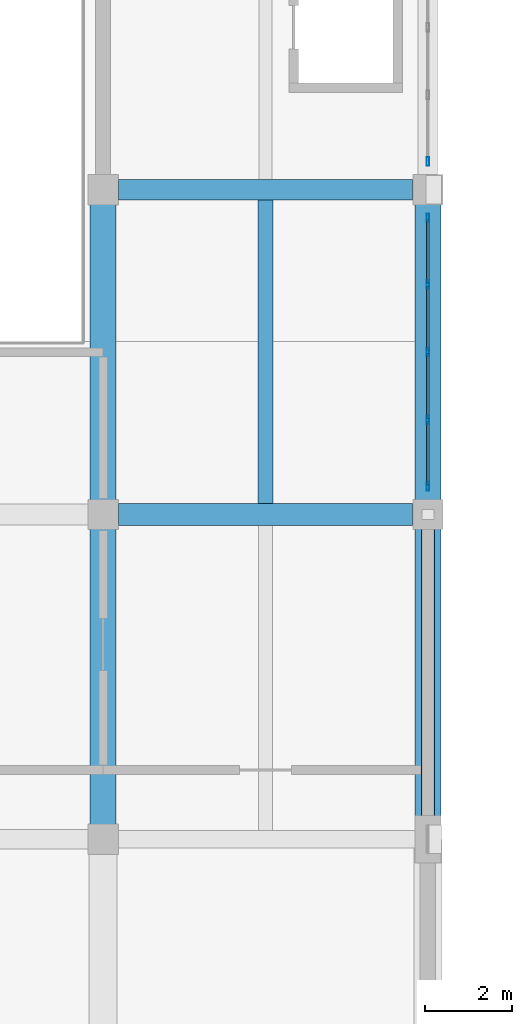
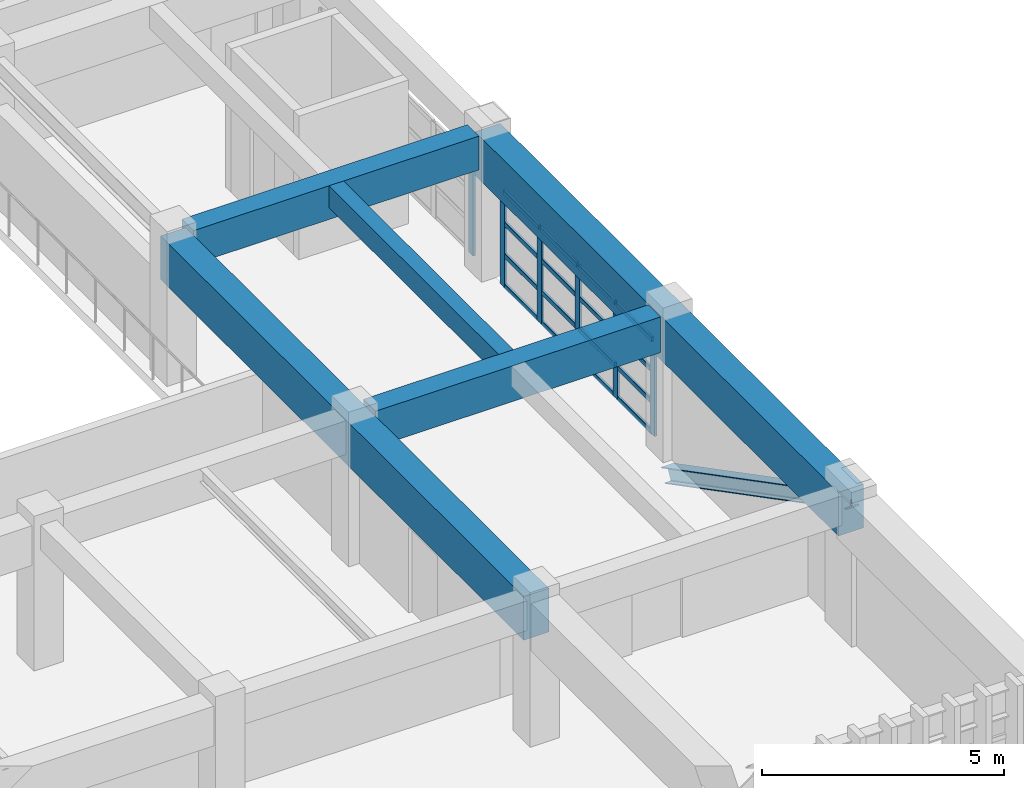
# One storey, part 32 of 82: 23 members, 5 beams, 2 elements without a shape of their own.
"""IFC4 building model written with IfcOpenShell, lengths in metres."""

from ifc_helpers import new_model, si_unit, direction, frame, origin, origin_2d, place, context, subcontext, project, spatial, rectangle, hollow_rectangle, i_section, extrude, material, material_profile, profile_set, type_object, element, aggregate, save


model = new_model("IFC4")

# Units and contexts
model_context = context("Model", 3, precision=1e-05, world=origin(), true_north=direction((0.0, 1.0)))
body_context = subcontext(model_context, "Body", "Model", "MODEL_VIEW")
ifc_project = project(units=[si_unit("LENGTHUNIT", "METRE"), si_unit("AREAUNIT", "SQUARE_METRE"), si_unit("VOLUMEUNIT", "CUBIC_METRE"), si_unit("PLANEANGLEUNIT", "RADIAN"), si_unit("MASSUNIT", "GRAM", prefix="KILO")], contexts=[model_context])

# Site, building, storey
site_placement = place(None, origin())
site = spatial("IfcSite", under=ifc_project, at=site_placement, CompositionType="ELEMENT")
building_placement = place(site_placement, origin())
building = spatial("IfcBuilding", under=site, at=building_placement, Name="Qasida Concert Hall", CompositionType="ELEMENT")
storey_placement = place(building_placement, frame((0.0, 0.0, 17.10009765625)))
storey = spatial("IfcBuildingStorey", under=building, at=storey_placement, Name="L04", CompositionType="ELEMENT", Elevation=17.10009765625)

# Beams
ifc_material_1 = material(Name="Concrete C40/50", Category="concrete")
ifc_material_profile_1 = material_profile(ifc_material_1, rectangle(XDim=0.5, YDim=0.89990234375, at=origin_2d()), Name="RC 500x900")
ifc_profile_set_1 = profile_set([ifc_material_profile_1], Name="Concrete C40/50")
beam_type_1 = type_object("IfcBeamType", Name="BM-G1", PredefinedType="USERDEFINED", material=ifc_profile_set_1)
beam_1_placement = place(storey_placement, frame((97.85009765625, 30.0, 3.169921875), z_axis=(1.0, 0.0, 0.0), x_axis=(0.0, 1.0, 0.0)))
element("IfcBeam", 1, at=beam_1_placement, inside=storey, type_object=beam_type_1, Name="Primary girder 1814", ObjectType="GIRDER", PredefinedType="USERDEFINED", context=body_context, shape_type="SweptSolid", body=[
    extrude(rectangle(XDim=0.5, YDim=0.89990234375, at=origin_2d()), origin(), (0.0, 0.0, 1.0), 6.7998046875),
])
ifc_material_2 = material(Name="Concrete C50/60", Category="concrete")
ifc_material_profile_2 = material_profile(ifc_material_2, rectangle(XDim=0.60009765625, YDim=1.10009765625, at=origin_2d()), Name="RC 600x1100")
ifc_profile_set_2 = profile_set([ifc_material_profile_2], Name="Concrete C50/60")
beam_type_2 = type_object("IfcBeamType", Name="BM-G4", PredefinedType="USERDEFINED", material=ifc_profile_set_2)
for number, where, z_axis, x_axis, name in (
    (2, (97.5, 22.5, 3.02001953125), (0.0, 1.0, 0.0), (-1.0, 0.0, 0.0), "Cantilever backspan girder CGB-024"),
    (3, (105.0, 22.5, 3.02001953125), (0.0, 1.0, 0.0), (-1.0, 0.0, 0.0), "Cantilever backspan girder CGB-025"),
):
    element("IfcBeam", number, at=place(storey_placement, frame(where, z_axis=z_axis, x_axis=x_axis)), inside=storey, type_object=beam_type_2, Name=name, ObjectType="GIRDER", PredefinedType="USERDEFINED", context=body_context, shape_type="SweptSolid", body=[
        extrude(rectangle(XDim=0.60009765625, YDim=1.10009765625, at=origin_2d()), origin(), (0.0, 0.0, 1.0), 15.0),
    ])
ifc_material_profile_3 = material_profile(ifc_material_1, rectangle(XDim=0.47998046875, YDim=0.85009765625, at=origin_2d()), Name="RC 480x850")
ifc_profile_set_3 = profile_set([ifc_material_profile_3], Name="Concrete C40/50")
beam_type_3 = type_object("IfcBeamType", Name="BM-G6", PredefinedType="USERDEFINED", material=ifc_profile_set_3)
beam_2_placement = place(storey_placement, frame((97.85009765625, 37.5, 3.19482421875), z_axis=(1.0, 0.0, 0.0), x_axis=(0.0, 1.0, 0.0)))
element("IfcBeam", 4, at=beam_2_placement, inside=storey, type_object=beam_type_3, Name="Primary girder 1816", ObjectType="GIRDER", PredefinedType="USERDEFINED", context=body_context, shape_type="SweptSolid", body=[
    extrude(rectangle(XDim=0.47998046875, YDim=0.85009765625, at=origin_2d()), origin(), (0.0, 0.0, 1.0), 6.7998046875),
])
ifc_material_profile_4 = material_profile(ifc_material_1, rectangle(XDim=0.35009765625, YDim=0.550048828125, at=origin_2d()), Name="RC 350x550")
ifc_profile_set_4 = profile_set([ifc_material_profile_4], Name="Concrete C40/50")
beam_type_4 = type_object("IfcBeamType", Name="BM-J8", PredefinedType="JOIST", material=ifc_profile_set_4)
beam_3_placement = place(storey_placement, frame((101.25, 30.25, 3.344970703125), z_axis=(0.0, 1.0, 0.0), x_axis=(-1.0, 0.0, 0.0)))
element("IfcBeam", 5, at=beam_3_placement, inside=storey, type_object=beam_type_4, Name="L04 secondary joist 1887", PredefinedType="JOIST", context=body_context, shape_type="SweptSolid", body=[
    extrude(rectangle(XDim=0.35009765625, YDim=0.550048828125, at=origin_2d()), origin(), (0.0, 0.0, 1.0), 7.010009765625),
])

# Member
ifc_material_3 = material(Name="Steel S355J2", Category="steel")
ifc_material_profile_5 = material_profile(ifc_material_3, i_section(OverallWidth=0.300048828125, OverallDepth=0.360107421875, WebThickness=0.012451171875, FlangeThickness=0.0224609375, FilletRadius=0.027099609375, at=origin_2d()), Name="HEB 360")
ifc_profile_set_5 = profile_set([ifc_material_profile_5], Name="Steel S355J2")
member_type_1 = type_object("IfcMemberType", Name="MB-BR1", PredefinedType="BRACE", material=ifc_profile_set_5)
member_1_placement = place(storey_placement, frame((105.0, 22.5, 3.2998046875), z_axis=(0.0, 0.8872215298, -0.461343643133), x_axis=(-1.0, 0.0, 0.0)))
element("IfcMember", 6, at=member_1_placement, inside=storey, type_object=member_type_1, Name="Wall truss backspan brace WT-E-028", PredefinedType="BRACE", context=body_context, shape_type="SweptSolid", body=[
    extrude(i_section(OverallWidth=0.300048828125, OverallDepth=0.360107421875, WebThickness=0.012451171875, FlangeThickness=0.0224609375, FilletRadius=0.027099609375, at=origin_2d()), origin(), (0.0, 0.0, 1.0), 8.453369140625),
])

# Curtain wall, members
ifc_material_4 = material(Name="Architectural bronze-anodized aluminium and low-E glass", Category="aluminium")
curtain_wall_type = type_object("IfcCurtainWallType", Name="CW-11", PredefinedType="NOTDEFINED", material=ifc_material_4)
curtain_wall_1_placement = place(storey_placement, origin())
curtain_wall_1 = element("IfcCurtainWall", 7, at=curtain_wall_1_placement, inside=storey, type_object=curtain_wall_type, Name="L04 curtain wall CW-11 0057", PredefinedType="NOTDEFINED")
ifc_material_5 = material(Name="Architectural bronze-anodized aluminium EN AW-6063", Category="aluminium")
ifc_material_profile_6 = material_profile(ifc_material_5, hollow_rectangle(XDim=0.06494140625, YDim=0.199951171875, WallThickness=0.0048828125, InnerFilletRadius=0.0048828125, OuterFilletRadius=0.010009765625, at=origin_2d()), Name="CWM 200x65x5")
ifc_profile_set_6 = profile_set([ifc_material_profile_6], Name="Architectural bronze-anodized aluminium EN AW-6063")
member_type_2 = type_object("IfcMemberType", Name="MB-CWM-2", PredefinedType="MULLION", material=ifc_profile_set_6)
member_2_placement = place(storey_placement, frame((105.0, 30.652587890625, 0.0), z_axis=(0.0, 0.0, 1.0), x_axis=(-1.0, 0.0, 0.0)))
member_2 = element("IfcMember", 8, at=member_2_placement, type_object=member_type_2, Name="CW-11 mullion 1", PredefinedType="MULLION", context=body_context, shape_type="SweptSolid", body=[
    extrude(hollow_rectangle(XDim=0.06494140625, YDim=0.199951171875, WallThickness=0.0048828125, InnerFilletRadius=0.0048828125, OuterFilletRadius=0.010009765625, at=origin_2d()), origin(), (0.0, 0.0, 1.0), 2.389892578125),
])
member_3_placement = place(storey_placement, frame((105.0, 32.18505859375, 0.0), z_axis=(0.0, 0.0, 1.0), x_axis=(-1.0, 0.0, 0.0)))
member_3 = element("IfcMember", 9, at=member_3_placement, type_object=member_type_2, Name="CW-11 mullion 2", PredefinedType="MULLION", context=body_context, shape_type="SweptSolid", body=[
    extrude(hollow_rectangle(XDim=0.06494140625, YDim=0.199951171875, WallThickness=0.0048828125, InnerFilletRadius=0.0048828125, OuterFilletRadius=0.010009765625, at=origin_2d()), origin(), (0.0, 0.0, 1.0), 2.389892578125),
])
member_4_placement = place(storey_placement, frame((105.0, 33.75, 0.0), z_axis=(0.0, 0.0, 1.0), x_axis=(-1.0, 0.0, 0.0)))
member_4 = element("IfcMember", 10, at=member_4_placement, type_object=member_type_2, Name="CW-11 mullion 3", PredefinedType="MULLION", context=body_context, shape_type="SweptSolid", body=[
    extrude(hollow_rectangle(XDim=0.06494140625, YDim=0.199951171875, WallThickness=0.0048828125, InnerFilletRadius=0.0048828125, OuterFilletRadius=0.010009765625, at=origin_2d()), origin(), (0.0, 0.0, 1.0), 2.389892578125),
])
member_5_placement = place(storey_placement, frame((105.0, 35.31494140625, 0.0), z_axis=(0.0, 0.0, 1.0), x_axis=(-1.0, 0.0, 0.0)))
member_5 = element("IfcMember", 11, at=member_5_placement, type_object=member_type_2, Name="CW-11 mullion 4", PredefinedType="MULLION", context=body_context, shape_type="SweptSolid", body=[
    extrude(hollow_rectangle(XDim=0.06494140625, YDim=0.199951171875, WallThickness=0.0048828125, InnerFilletRadius=0.0048828125, OuterFilletRadius=0.010009765625, at=origin_2d()), origin(), (0.0, 0.0, 1.0), 2.389892578125),
])
member_6_placement = place(storey_placement, frame((105.0, 36.847412109375, 0.0), z_axis=(0.0, 0.0, 1.0), x_axis=(-1.0, 0.0, 0.0)))
member_6 = element("IfcMember", 12, at=member_6_placement, type_object=member_type_2, Name="CW-11 mullion 5", PredefinedType="MULLION", context=body_context, shape_type="SweptSolid", body=[
    extrude(hollow_rectangle(XDim=0.06494140625, YDim=0.199951171875, WallThickness=0.0048828125, InnerFilletRadius=0.0048828125, OuterFilletRadius=0.010009765625, at=origin_2d()), origin(), (0.0, 0.0, 1.0), 2.389892578125),
])

# Curtain wall, member
curtain_wall_2_placement = place(storey_placement, origin())
curtain_wall_2 = element("IfcCurtainWall", 13, at=curtain_wall_2_placement, inside=storey, type_object=curtain_wall_type, Name="L04 curtain wall CW-11 0059", PredefinedType="NOTDEFINED")
member_7_placement = place(storey_placement, frame((105.0, 38.152587890625, 0.0), z_axis=(0.0, 0.0, 1.0), x_axis=(-1.0, 0.0, 0.0)))
member_7 = element("IfcMember", 14, at=member_7_placement, type_object=member_type_2, Name="CW-11 mullion 1", PredefinedType="MULLION", context=body_context, shape_type="SweptSolid", body=[
    extrude(hollow_rectangle(XDim=0.06494140625, YDim=0.199951171875, WallThickness=0.0048828125, InnerFilletRadius=0.0048828125, OuterFilletRadius=0.010009765625, at=origin_2d()), origin(), (0.0, 0.0, 1.0), 2.389892578125),
])
aggregate(curtain_wall_2, [member_7])

# Member
ifc_material_profile_7 = material_profile(ifc_material_5, hollow_rectangle(XDim=0.06005859375, YDim=0.1201171875, WallThickness=0.00390625, InnerFilletRadius=0.00390625, OuterFilletRadius=0.008056640625, at=origin_2d()), Name="CWT 120x60x4")
ifc_profile_set_7 = profile_set([ifc_material_profile_7], Name="Architectural bronze-anodized aluminium EN AW-6063")
member_type_3 = type_object("IfcMemberType", Name="MB-CWT-2", PredefinedType="USERDEFINED", material=ifc_profile_set_7)
member_8_placement = place(storey_placement, frame((105.0, 30.68505859375, 0.02978515625), z_axis=(0.0, 1.0, 0.0), x_axis=(-1.0, 0.0, 0.0)))
member_8 = element("IfcMember", 15, at=member_8_placement, type_object=member_type_3, Name="CW-11 transom 1.1", ObjectType="TRANSOM", PredefinedType="USERDEFINED", context=body_context, shape_type="SweptSolid", body=[
    extrude(hollow_rectangle(XDim=0.06005859375, YDim=0.1201171875, WallThickness=0.00390625, InnerFilletRadius=0.00390625, OuterFilletRadius=0.008056640625, at=origin_2d()), origin(), (0.0, 0.0, 1.0), 1.467529296875),
])

member_9_placement = place(storey_placement, frame((105.0, 30.68505859375, 0.796630859375), z_axis=(0.0, 1.0, 0.0), x_axis=(-1.0, 0.0, 0.0)))
member_9 = element("IfcMember", 16, at=member_9_placement, type_object=member_type_3, Name="CW-11 transom 1.2", ObjectType="TRANSOM", PredefinedType="USERDEFINED", context=body_context, shape_type="SweptSolid", body=[
    extrude(hollow_rectangle(XDim=0.06005859375, YDim=0.1201171875, WallThickness=0.00390625, InnerFilletRadius=0.00390625, OuterFilletRadius=0.008056640625, at=origin_2d()), origin(), (0.0, 0.0, 1.0), 1.467529296875),
])

member_10_placement = place(storey_placement, frame((105.0, 30.68505859375, 1.59326171875), z_axis=(0.0, 1.0, 0.0), x_axis=(-1.0, 0.0, 0.0)))
member_10 = element("IfcMember", 17, at=member_10_placement, type_object=member_type_3, Name="CW-11 transom 1.3", ObjectType="TRANSOM", PredefinedType="USERDEFINED", context=body_context, shape_type="SweptSolid", body=[
    extrude(hollow_rectangle(XDim=0.06005859375, YDim=0.1201171875, WallThickness=0.00390625, InnerFilletRadius=0.00390625, OuterFilletRadius=0.008056640625, at=origin_2d()), origin(), (0.0, 0.0, 1.0), 1.467529296875),
])

member_11_placement = place(storey_placement, frame((105.0, 30.68505859375, 2.35986328125), z_axis=(0.0, 1.0, 0.0), x_axis=(-1.0, 0.0, 0.0)))
member_11 = element("IfcMember", 18, at=member_11_placement, type_object=member_type_3, Name="CW-11 transom 1.4", ObjectType="TRANSOM", PredefinedType="USERDEFINED", context=body_context, shape_type="SweptSolid", body=[
    extrude(hollow_rectangle(XDim=0.06005859375, YDim=0.1201171875, WallThickness=0.00390625, InnerFilletRadius=0.00390625, OuterFilletRadius=0.008056640625, at=origin_2d()), origin(), (0.0, 0.0, 1.0), 1.467529296875),
])

member_12_placement = place(storey_placement, frame((105.0, 32.217529296875, 0.02978515625), z_axis=(0.0, 1.0, 0.0), x_axis=(-1.0, 0.0, 0.0)))
member_12 = element("IfcMember", 19, at=member_12_placement, type_object=member_type_3, Name="CW-11 transom 2.1", ObjectType="TRANSOM", PredefinedType="USERDEFINED", context=body_context, shape_type="SweptSolid", body=[
    extrude(hollow_rectangle(XDim=0.06005859375, YDim=0.1201171875, WallThickness=0.00390625, InnerFilletRadius=0.00390625, OuterFilletRadius=0.008056640625, at=origin_2d()), origin(), (0.0, 0.0, 1.0), 1.5),
])

member_13_placement = place(storey_placement, frame((105.0, 32.217529296875, 0.796630859375), z_axis=(0.0, 1.0, 0.0), x_axis=(-1.0, 0.0, 0.0)))
member_13 = element("IfcMember", 20, at=member_13_placement, type_object=member_type_3, Name="CW-11 transom 2.2", ObjectType="TRANSOM", PredefinedType="USERDEFINED", context=body_context, shape_type="SweptSolid", body=[
    extrude(hollow_rectangle(XDim=0.06005859375, YDim=0.1201171875, WallThickness=0.00390625, InnerFilletRadius=0.00390625, OuterFilletRadius=0.008056640625, at=origin_2d()), origin(), (0.0, 0.0, 1.0), 1.5),
])

member_14_placement = place(storey_placement, frame((105.0, 32.217529296875, 1.59326171875), z_axis=(0.0, 1.0, 0.0), x_axis=(-1.0, 0.0, 0.0)))
member_14 = element("IfcMember", 21, at=member_14_placement, type_object=member_type_3, Name="CW-11 transom 2.3", ObjectType="TRANSOM", PredefinedType="USERDEFINED", context=body_context, shape_type="SweptSolid", body=[
    extrude(hollow_rectangle(XDim=0.06005859375, YDim=0.1201171875, WallThickness=0.00390625, InnerFilletRadius=0.00390625, OuterFilletRadius=0.008056640625, at=origin_2d()), origin(), (0.0, 0.0, 1.0), 1.5),
])

member_15_placement = place(storey_placement, frame((105.0, 32.217529296875, 2.35986328125), z_axis=(0.0, 1.0, 0.0), x_axis=(-1.0, 0.0, 0.0)))
member_15 = element("IfcMember", 22, at=member_15_placement, type_object=member_type_3, Name="CW-11 transom 2.4", ObjectType="TRANSOM", PredefinedType="USERDEFINED", context=body_context, shape_type="SweptSolid", body=[
    extrude(hollow_rectangle(XDim=0.06005859375, YDim=0.1201171875, WallThickness=0.00390625, InnerFilletRadius=0.00390625, OuterFilletRadius=0.008056640625, at=origin_2d()), origin(), (0.0, 0.0, 1.0), 1.5),
])

member_16_placement = place(storey_placement, frame((105.0, 33.782470703125, 0.02978515625), z_axis=(0.0, 1.0, 0.0), x_axis=(-1.0, 0.0, 0.0)))
member_16 = element("IfcMember", 23, at=member_16_placement, type_object=member_type_3, Name="CW-11 transom 3.1", ObjectType="TRANSOM", PredefinedType="USERDEFINED", context=body_context, shape_type="SweptSolid", body=[
    extrude(hollow_rectangle(XDim=0.06005859375, YDim=0.1201171875, WallThickness=0.00390625, InnerFilletRadius=0.00390625, OuterFilletRadius=0.008056640625, at=origin_2d()), origin(), (0.0, 0.0, 1.0), 1.5),
])

member_17_placement = place(storey_placement, frame((105.0, 33.782470703125, 0.796630859375), z_axis=(0.0, 1.0, 0.0), x_axis=(-1.0, 0.0, 0.0)))
member_17 = element("IfcMember", 24, at=member_17_placement, type_object=member_type_3, Name="CW-11 transom 3.2", ObjectType="TRANSOM", PredefinedType="USERDEFINED", context=body_context, shape_type="SweptSolid", body=[
    extrude(hollow_rectangle(XDim=0.06005859375, YDim=0.1201171875, WallThickness=0.00390625, InnerFilletRadius=0.00390625, OuterFilletRadius=0.008056640625, at=origin_2d()), origin(), (0.0, 0.0, 1.0), 1.5),
])

member_18_placement = place(storey_placement, frame((105.0, 33.782470703125, 1.59326171875), z_axis=(0.0, 1.0, 0.0), x_axis=(-1.0, 0.0, 0.0)))
member_18 = element("IfcMember", 25, at=member_18_placement, type_object=member_type_3, Name="CW-11 transom 3.3", ObjectType="TRANSOM", PredefinedType="USERDEFINED", context=body_context, shape_type="SweptSolid", body=[
    extrude(hollow_rectangle(XDim=0.06005859375, YDim=0.1201171875, WallThickness=0.00390625, InnerFilletRadius=0.00390625, OuterFilletRadius=0.008056640625, at=origin_2d()), origin(), (0.0, 0.0, 1.0), 1.5),
])

member_19_placement = place(storey_placement, frame((105.0, 33.782470703125, 2.35986328125), z_axis=(0.0, 1.0, 0.0), x_axis=(-1.0, 0.0, 0.0)))
member_19 = element("IfcMember", 26, at=member_19_placement, type_object=member_type_3, Name="CW-11 transom 3.4", ObjectType="TRANSOM", PredefinedType="USERDEFINED", context=body_context, shape_type="SweptSolid", body=[
    extrude(hollow_rectangle(XDim=0.06005859375, YDim=0.1201171875, WallThickness=0.00390625, InnerFilletRadius=0.00390625, OuterFilletRadius=0.008056640625, at=origin_2d()), origin(), (0.0, 0.0, 1.0), 1.5),
])

member_20_placement = place(storey_placement, frame((105.0, 35.347412109375, 0.02978515625), z_axis=(0.0, 1.0, 0.0), x_axis=(-1.0, 0.0, 0.0)))
member_20 = element("IfcMember", 27, at=member_20_placement, type_object=member_type_3, Name="CW-11 transom 4.1", ObjectType="TRANSOM", PredefinedType="USERDEFINED", context=body_context, shape_type="SweptSolid", body=[
    extrude(hollow_rectangle(XDim=0.06005859375, YDim=0.1201171875, WallThickness=0.00390625, InnerFilletRadius=0.00390625, OuterFilletRadius=0.008056640625, at=origin_2d()), origin(), (0.0, 0.0, 1.0), 1.467529296875),
])

member_21_placement = place(storey_placement, frame((105.0, 35.347412109375, 0.796630859375), z_axis=(0.0, 1.0, 0.0), x_axis=(-1.0, 0.0, 0.0)))
member_21 = element("IfcMember", 28, at=member_21_placement, type_object=member_type_3, Name="CW-11 transom 4.2", ObjectType="TRANSOM", PredefinedType="USERDEFINED", context=body_context, shape_type="SweptSolid", body=[
    extrude(hollow_rectangle(XDim=0.06005859375, YDim=0.1201171875, WallThickness=0.00390625, InnerFilletRadius=0.00390625, OuterFilletRadius=0.008056640625, at=origin_2d()), origin(), (0.0, 0.0, 1.0), 1.467529296875),
])

member_22_placement = place(storey_placement, frame((105.0, 35.347412109375, 1.59326171875), z_axis=(0.0, 1.0, 0.0), x_axis=(-1.0, 0.0, 0.0)))
member_22 = element("IfcMember", 29, at=member_22_placement, type_object=member_type_3, Name="CW-11 transom 4.3", ObjectType="TRANSOM", PredefinedType="USERDEFINED", context=body_context, shape_type="SweptSolid", body=[
    extrude(hollow_rectangle(XDim=0.06005859375, YDim=0.1201171875, WallThickness=0.00390625, InnerFilletRadius=0.00390625, OuterFilletRadius=0.008056640625, at=origin_2d()), origin(), (0.0, 0.0, 1.0), 1.467529296875),
])

member_23_placement = place(storey_placement, frame((105.0, 35.347412109375, 2.35986328125), z_axis=(0.0, 1.0, 0.0), x_axis=(-1.0, 0.0, 0.0)))
member_23 = element("IfcMember", 30, at=member_23_placement, type_object=member_type_3, Name="CW-11 transom 4.4", ObjectType="TRANSOM", PredefinedType="USERDEFINED", context=body_context, shape_type="SweptSolid", body=[
    extrude(hollow_rectangle(XDim=0.06005859375, YDim=0.1201171875, WallThickness=0.00390625, InnerFilletRadius=0.00390625, OuterFilletRadius=0.008056640625, at=origin_2d()), origin(), (0.0, 0.0, 1.0), 1.467529296875),
])

aggregate(curtain_wall_1, [member_2, member_3, member_4, member_5, member_6, member_8, member_9, member_10, member_11, member_12, member_13, member_14, member_15, member_16, member_17, member_18, member_19, member_20, member_21, member_22, member_23])

save(model, "model.ifc")
